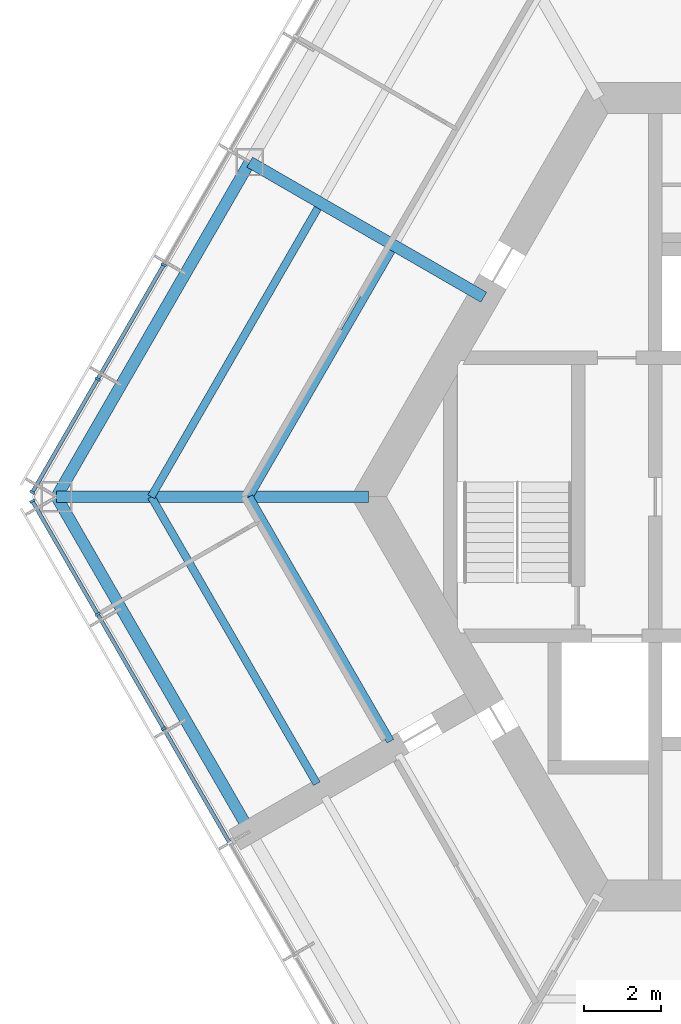
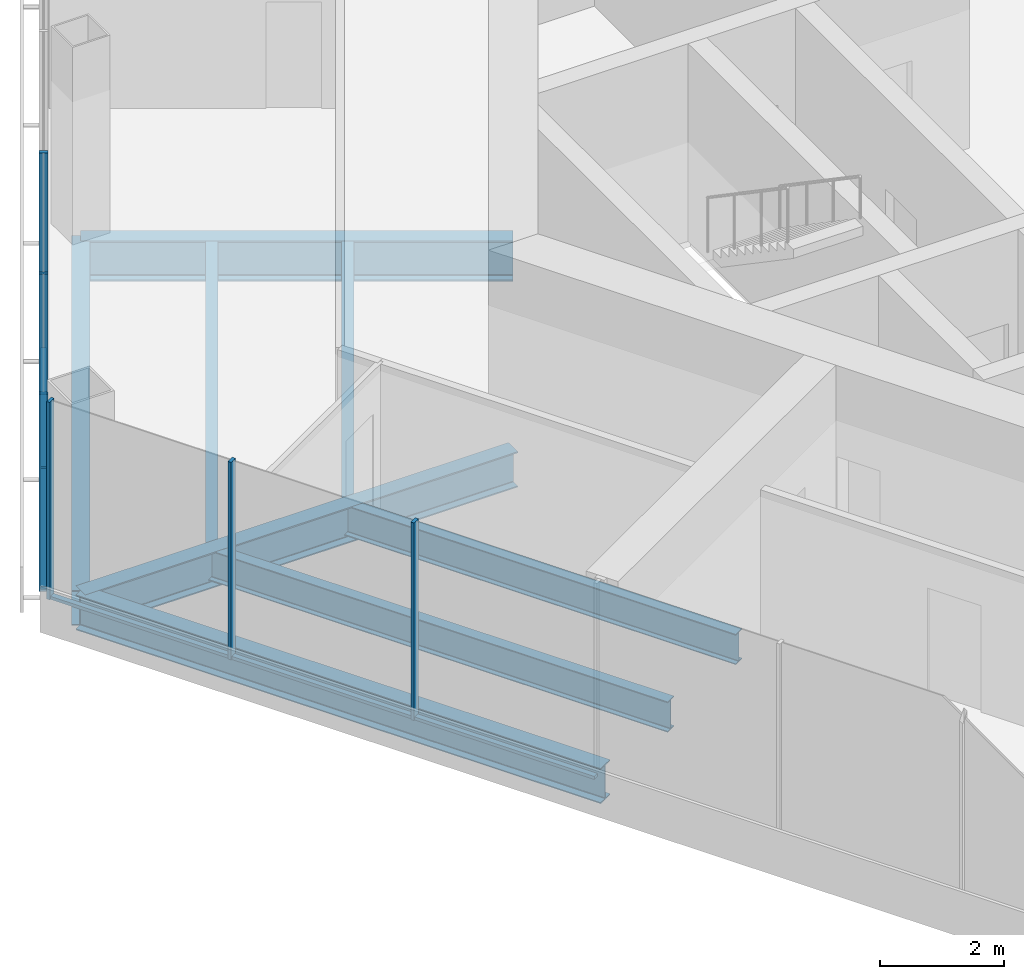
# One storey, part 3 of 15: 11 members, 8 beams, 2 elements without a shape of their own.
"""IFC4 building model written with IfcOpenShell, lengths in metres."""

from ifc_helpers import new_model, si_unit, direction, frame, origin, origin_2d, place, context, subcontext, project, spatial, rectangle, i_section, extrude, material, material_profile, profile_set, type_object, element, aggregate, save


model = new_model("IFC4")

# Units and contexts
model_context = context("Model", 3, precision=1e-05, world=origin(), true_north=direction((0.0, 1.0)))
body_context = subcontext(model_context, "Body", "Model", "MODEL_VIEW")
ifc_project = project(units=[si_unit("LENGTHUNIT", "METRE"), si_unit("AREAUNIT", "SQUARE_METRE"), si_unit("VOLUMEUNIT", "CUBIC_METRE"), si_unit("PLANEANGLEUNIT", "RADIAN"), si_unit("MASSUNIT", "GRAM", prefix="KILO")], contexts=[model_context])

# Site, building, storey
site_placement = place(None, origin())
site = spatial("IfcSite", under=ifc_project, at=site_placement, CompositionType="ELEMENT")
building_placement = place(site_placement, origin())
building = spatial("IfcBuilding", under=site, at=building_placement, Name="Kasaneha Research Tower", CompositionType="ELEMENT")
storey_placement = place(building_placement, frame((0.0, 0.0, 220.60009765625)))
storey = spatial("IfcBuildingStorey", under=building, at=storey_placement, Name="L55", CompositionType="ELEMENT", Elevation=220.60009765625)

# Beams
ifc_material_1 = material(Name="Steel SN490B", Category="steel")
ifc_material_profile_1 = material_profile(ifc_material_1, i_section(OverallWidth=0.199951171875, OverallDepth=0.60009765625, WebThickness=0.010986328125, FlangeThickness=0.01708984375, FilletRadius=0.012939453125, at=origin_2d()), Name="H-600x200x11x17")
ifc_profile_set_1 = profile_set([ifc_material_profile_1], Name="Steel SN490B")
beam_type_1 = type_object("IfcBeamType", Name="B1-3 secondary beam H-600x200x11x17", PredefinedType="JOIST", material=ifc_profile_set_1)
beam_1_placement = place(storey_placement, frame((-15.010986328125, 0.0, -0.4501953125), z_axis=(0.499994443168, 0.866028611999, 0.0), x_axis=(-0.866028611999, 0.499994443168, 0.0)))
element("IfcBeam", 1, at=beam_1_placement, inside=storey, type_object=beam_type_1, Name="Secondary beam RS150R1 L55", PredefinedType="JOIST", context=body_context, shape_type="SweptSolid", body=[
    extrude(i_section(OverallWidth=0.199951171875, OverallDepth=0.60009765625, WebThickness=0.010986328125, FlangeThickness=0.01708984375, FilletRadius=0.012939453125, at=origin_2d()), origin(), (0.0, 0.0, 1.0), 7.35546875),
])
beam_2_placement = place(storey_placement, frame((-17.551513671875, 0.0, -0.4501953125), z_axis=(0.5000050195, 0.866022505755, 0.0), x_axis=(-0.866022505755, 0.5000050195, 0.0)))
element("IfcBeam", 2, at=beam_2_placement, inside=storey, type_object=beam_type_1, Name="Secondary beam RS150R2 L55", PredefinedType="JOIST", context=body_context, shape_type="SweptSolid", body=[
    extrude(i_section(OverallWidth=0.199951171875, OverallDepth=0.60009765625, WebThickness=0.010986328125, FlangeThickness=0.01708984375, FilletRadius=0.012939453125, at=origin_2d()), origin(), (0.0, 0.0, 1.0), 8.6259765625),
])
beam_3_placement = place(storey_placement, frame((-15.010986328125, 0.0, -0.4501953125), z_axis=(0.499974128195, -0.866040340363, 0.0), x_axis=(0.866040340363, 0.499974128195, 0.0)))
element("IfcBeam", 3, at=beam_3_placement, inside=storey, type_object=beam_type_1, Name="Secondary beam RS210L1 L55", PredefinedType="JOIST", context=body_context, shape_type="SweptSolid", body=[
    extrude(i_section(OverallWidth=0.199951171875, OverallDepth=0.60009765625, WebThickness=0.010986328125, FlangeThickness=0.01708984375, FilletRadius=0.012939453125, at=origin_2d()), origin(), (0.0, 0.0, 1.0), 7.3056640625),
])
beam_4_placement = place(storey_placement, frame((-17.551513671875, 0.0, -0.4501953125), z_axis=(0.500000102728, -0.866025344474, 0.0), x_axis=(0.866025344474, 0.500000102728, 0.0)))
element("IfcBeam", 4, at=beam_4_placement, inside=storey, type_object=beam_type_1, Name="Secondary beam RS210L2 L55", PredefinedType="JOIST", context=body_context, shape_type="SweptSolid", body=[
    extrude(i_section(OverallWidth=0.199951171875, OverallDepth=0.60009765625, WebThickness=0.010986328125, FlangeThickness=0.01708984375, FilletRadius=0.012939453125, at=origin_2d()), origin(), (0.0, 0.0, 1.0), 8.57568359375),
])

# Curtain wall, members
ifc_material_2 = material(Name="Glass and aluminium", Category="aluminium")
curtain_wall_type = type_object("IfcCurtainWallType", Name="High-rise office curtain wall", PredefinedType="USERDEFINED", material=ifc_material_2)
curtain_wall_1_placement = place(storey_placement, origin())
curtain_wall_1 = element("IfcCurtainWall", 5, at=curtain_wall_1_placement, inside=storey, type_object=curtain_wall_type, Name="CW-O3 L55 run 03a", ObjectType="UNITISED CURTAIN WALL", PredefinedType="USERDEFINED")
ifc_material_3 = material(Name="Aluminium 6063-T6", Category="aluminium")
ifc_material_profile_2 = material_profile(ifc_material_3, rectangle(XDim=0.06005859375, YDim=0.139892578125, at=origin_2d()), Name="CW-O3 mullion 60x140")
ifc_profile_set_2 = profile_set([ifc_material_profile_2], Name="Aluminium 6063-T6")
member_type_1 = type_object("IfcMemberType", Name="CW-O3 mullion", PredefinedType="MULLION", material=ifc_profile_set_2)
member_1_placement = place(storey_placement, frame((-17.227294921875, 6.00244140625, 0.0), z_axis=(0.0, 0.0, 1.0), x_axis=(-0.499999995722, -0.866025406254, 0.0)))
member_1 = element("IfcMember", 6, at=member_1_placement, type_object=member_type_1, Name="CW-O3 mullion 5", PredefinedType="MULLION", context=body_context, shape_type="SweptSolid", body=[
    extrude(rectangle(XDim=0.06005859375, YDim=0.139892578125, at=origin_2d()), origin(), (0.0, 0.0, 1.0), 3.89990234375),
])
member_2_placement = place(storey_placement, frame((-18.93505859375, 3.04443359375, 0.0), z_axis=(0.0, 0.0, 1.0), x_axis=(-0.499999995722, -0.866025406254, 0.0)))
member_2 = element("IfcMember", 7, at=member_2_placement, type_object=member_type_1, Name="CW-O3 mullion 6", PredefinedType="MULLION", context=body_context, shape_type="SweptSolid", body=[
    extrude(rectangle(XDim=0.06005859375, YDim=0.139892578125, at=origin_2d()), origin(), (0.0, 0.0, 1.0), 3.89990234375),
])
member_3_placement = place(storey_placement, frame((-20.6279296875, 0.112548828125, 0.0), z_axis=(0.0, 0.0, 1.0), x_axis=(-0.499999995722, -0.866025406254, 0.0)))
member_3 = element("IfcMember", 8, at=member_3_placement, type_object=member_type_1, Name="CW-O3 mullion 7", PredefinedType="MULLION", context=body_context, shape_type="SweptSolid", body=[
    extrude(rectangle(XDim=0.06005859375, YDim=0.139892578125, at=origin_2d()), origin(), (0.0, 0.0, 1.0), 3.89990234375),
])

curtain_wall_2_placement = place(storey_placement, origin())
curtain_wall_2 = element("IfcCurtainWall", 9, at=curtain_wall_2_placement, inside=storey, type_object=curtain_wall_type, Name="CW-O3 L55 run 04a", ObjectType="UNITISED CURTAIN WALL", PredefinedType="USERDEFINED")
member_4_placement = place(storey_placement, frame((-20.6279296875, -0.112548828125, 0.0), z_axis=(0.0, 0.0, 1.0), x_axis=(0.499999995722, -0.866025406254, 0.0)))
member_4 = element("IfcMember", 10, at=member_4_placement, type_object=member_type_1, Name="CW-O3 mullion 1", PredefinedType="MULLION", context=body_context, shape_type="SweptSolid", body=[
    extrude(rectangle(XDim=0.06005859375, YDim=0.139892578125, at=origin_2d()), origin(), (0.0, 0.0, 1.0), 3.89990234375),
])
member_5_placement = place(storey_placement, frame((-18.93505859375, -3.04443359375, 0.0), z_axis=(0.0, 0.0, 1.0), x_axis=(0.499999995722, -0.866025406254, 0.0)))
member_5 = element("IfcMember", 11, at=member_5_placement, type_object=member_type_1, Name="CW-O3 mullion 2", PredefinedType="MULLION", context=body_context, shape_type="SweptSolid", body=[
    extrude(rectangle(XDim=0.06005859375, YDim=0.139892578125, at=origin_2d()), origin(), (0.0, 0.0, 1.0), 3.89990234375),
])
member_6_placement = place(storey_placement, frame((-17.227294921875, -6.00244140625, 0.0), z_axis=(0.0, 0.0, 1.0), x_axis=(0.499999995722, -0.866025406254, 0.0)))
member_6 = element("IfcMember", 12, at=member_6_placement, type_object=member_type_1, Name="CW-O3 mullion 3", PredefinedType="MULLION", context=body_context, shape_type="SweptSolid", body=[
    extrude(rectangle(XDim=0.06005859375, YDim=0.139892578125, at=origin_2d()), origin(), (0.0, 0.0, 1.0), 3.89990234375),
])

# Member
ifc_material_4 = material(Name="Aluminium 6063-T6", Category="aluminium")
ifc_material_profile_3 = material_profile(ifc_material_4, rectangle(XDim=0.10009765625, YDim=0.06005859375, at=origin_2d()), Name="CW-O3 transom 100x60")
ifc_profile_set_3 = profile_set([ifc_material_profile_3], Name="Aluminium 6063-T6")
member_type_2 = type_object("IfcMemberType", Name="CW-O3 transom", PredefinedType="USERDEFINED", material=ifc_profile_set_3)
member_7_placement = place(storey_placement, frame((-17.242431640625, 5.976318359375, 0.02978515625), z_axis=(-0.500020578564, -0.866013522419, 0.0), x_axis=(0.866013522419, -0.500020578564, 0.0)))
member_7 = element("IfcMember", 13, at=member_7_placement, type_object=member_type_2, Name="CW-O3 transom 5", ObjectType="TRANSOM", PredefinedType="USERDEFINED", context=body_context, shape_type="SweptSolid", body=[
    extrude(rectangle(XDim=0.10009765625, YDim=0.06005859375, at=origin_2d()), origin(), (0.0, 0.0, 1.0), 3.355224609375),
])

member_8_placement = place(storey_placement, frame((-18.9501953125, 3.0185546875, 0.02978515625), z_axis=(-0.49997666526, -0.866038875684, 0.0), x_axis=(0.866038875684, -0.49997666526, 0.0)))
member_8 = element("IfcMember", 14, at=member_8_placement, type_object=member_type_2, Name="CW-O3 transom 6", ObjectType="TRANSOM", PredefinedType="USERDEFINED", context=body_context, shape_type="SweptSolid", body=[
    extrude(rectangle(XDim=0.10009765625, YDim=0.06005859375, at=origin_2d()), origin(), (0.0, 0.0, 1.0), 3.325439453125),
])

aggregate(curtain_wall_1, [member_1, member_2, member_3, member_7, member_8])

member_9_placement = place(storey_placement, frame((-20.61279296875, -0.138671875, 0.02978515625), z_axis=(0.49997666526, -0.866038875684, 0.0), x_axis=(0.866038875684, 0.49997666526, 0.0)))
member_9 = element("IfcMember", 15, at=member_9_placement, type_object=member_type_2, Name="CW-O3 transom 1", ObjectType="TRANSOM", PredefinedType="USERDEFINED", context=body_context, shape_type="SweptSolid", body=[
    extrude(rectangle(XDim=0.10009765625, YDim=0.06005859375, at=origin_2d()), origin(), (0.0, 0.0, 1.0), 3.325439453125),
])

member_10_placement = place(storey_placement, frame((-18.920166015625, -3.070556640625, 0.02978515625), z_axis=(0.500020578564, -0.866013522419, 0.0), x_axis=(0.866013522419, 0.500020578564, 0.0)))
member_10 = element("IfcMember", 16, at=member_10_placement, type_object=member_type_2, Name="CW-O3 transom 2", ObjectType="TRANSOM", PredefinedType="USERDEFINED", context=body_context, shape_type="SweptSolid", body=[
    extrude(rectangle(XDim=0.10009765625, YDim=0.06005859375, at=origin_2d()), origin(), (0.0, 0.0, 1.0), 3.355224609375),
])

member_11_placement = place(storey_placement, frame((-17.21240234375, -6.0283203125, 0.02978515625), z_axis=(0.499989072476, -0.866031712701, 0.0), x_axis=(0.866031712701, 0.499989072476, 0.0)))
member_11 = element("IfcMember", 17, at=member_11_placement, type_object=member_type_2, Name="CW-O3 transom 3", ObjectType="TRANSOM", PredefinedType="USERDEFINED", context=body_context, shape_type="SweptSolid", body=[
    extrude(rectangle(XDim=0.10009765625, YDim=0.06005859375, at=origin_2d()), origin(), (0.0, 0.0, 1.0), 3.35546875),
])

aggregate(curtain_wall_2, [member_4, member_5, member_6, member_9, member_10, member_11])

# Beams
ifc_material_5 = material(Name="Steel SN490B", Category="steel")
ifc_material_profile_4 = material_profile(ifc_material_5, i_section(OverallWidth=0.300048828125, OverallDepth=0.699951171875, WebThickness=0.012939453125, FlangeThickness=0.02392578125, FilletRadius=0.01806640625, at=origin_2d()), Name="H-700x300x13x24")
ifc_profile_set_4 = profile_set([ifc_material_profile_4], Name="Steel SN490B")
beam_type_2 = type_object("IfcBeamType", Name="G1-3 radial girder H-700x300x13x24", PredefinedType="BEAM", material=ifc_profile_set_4)
beam_5_placement = place(storey_placement, frame((-11.92236328125, 0.0, -0.5), z_axis=(-1.0, 0.0, 0.0), x_axis=(0.0, -1.0, 0.0)))
element("IfcBeam", 18, at=beam_5_placement, inside=storey, type_object=beam_type_2, Name="Radial girder RV180 L55", PredefinedType="BEAM", context=body_context, shape_type="SweptSolid", body=[
    extrude(i_section(OverallWidth=0.300048828125, OverallDepth=0.699951171875, WebThickness=0.012939453125, FlangeThickness=0.02392578125, FilletRadius=0.01806640625, at=origin_2d()), origin(), (0.0, 0.0, 1.0), 8.07763671875),
])
ifc_material_6 = material(Name="Steel SN490B", Category="steel")
ifc_material_profile_5 = material_profile(ifc_material_6, i_section(OverallWidth=0.300048828125, OverallDepth=0.800048828125, WebThickness=0.013916015625, FlangeThickness=0.02587890625, FilletRadius=0.01806640625, at=origin_2d()), Name="H-800x300x14x26")
ifc_profile_set_5 = profile_set([ifc_material_profile_5], Name="Steel SN490B")
beam_type_3 = type_object("IfcBeamType", Name="G2-3 radial girder H-800x300x14x26", PredefinedType="BEAM", material=ifc_profile_set_5)
beam_6_placement = place(storey_placement, frame((-8.941650390625, 5.16259765625, -0.550048828125), z_axis=(-0.866039713508, 0.499975214012, 0.0), x_axis=(-0.499975214012, -0.866039713508, 0.0)))
element("IfcBeam", 19, at=beam_6_placement, inside=storey, type_object=beam_type_3, Name="Radial girder RM150 L55", PredefinedType="BEAM", context=body_context, shape_type="SweptSolid", body=[
    extrude(i_section(OverallWidth=0.300048828125, OverallDepth=0.800048828125, WebThickness=0.013916015625, FlangeThickness=0.02587890625, FilletRadius=0.01806640625, at=origin_2d()), origin(), (0.0, 0.0, 1.0), 6.995361328125),
])
ifc_material_7 = material(Name="Steel SN490B", Category="steel")
ifc_material_profile_6 = material_profile(ifc_material_7, i_section(OverallWidth=0.300048828125, OverallDepth=0.69189453125, WebThickness=0.012939453125, FlangeThickness=0.02001953125, FilletRadius=0.01806640625, at=origin_2d()), Name="H-692x300x13x20")
ifc_profile_set_6 = profile_set([ifc_material_profile_6], Name="Steel SN490B")
beam_type_4 = type_object("IfcBeamType", Name="G3-3 plate edge girder H-692x300x13x20", PredefinedType="BEAM", material=ifc_profile_set_6)
beam_7_placement = place(storey_placement, frame((-20.0, 0.0, -0.49609375), z_axis=(0.49999201416, -0.866030014362, 0.0), x_axis=(0.866030014362, 0.49999201416, 0.0)))
element("IfcBeam", 20, at=beam_7_placement, inside=storey, type_object=beam_type_4, Name="Plate edge girder PEBP L55", PredefinedType="BEAM", context=body_context, shape_type="SweptSolid", body=[
    extrude(i_section(OverallWidth=0.300048828125, OverallDepth=0.69189453125, WebThickness=0.012939453125, FlangeThickness=0.02001953125, FilletRadius=0.01806640625, at=origin_2d()), origin(), (0.0, 0.0, 1.0), 9.800048828125),
])
ifc_material_8 = material(Name="Steel SN490B", Category="steel")
ifc_material_profile_7 = material_profile(ifc_material_8, i_section(OverallWidth=0.300048828125, OverallDepth=0.69189453125, WebThickness=0.012939453125, FlangeThickness=0.02001953125, FilletRadius=0.01806640625, at=origin_2d()), Name="H-692x300x13x20")
ifc_profile_set_7 = profile_set([ifc_material_profile_7], Name="Steel SN490B")
beam_type_5 = type_object("IfcBeamType", Name="SB1-3 spandrel beam H-692x300x13x20", PredefinedType="SPANDREL", material=ifc_profile_set_7)
beam_8_placement = place(storey_placement, frame((-20.0, 0.0, -0.49609375), z_axis=(0.500004234368, 0.866022959057, 0.0), x_axis=(-0.866022959057, 0.500004234368, 0.0)))
element("IfcBeam", 21, at=beam_8_placement, inside=storey, type_object=beam_type_5, Name="Spandrel beam SR150R L55", PredefinedType="SPANDREL", context=body_context, shape_type="SweptSolid", body=[
    extrude(i_section(OverallWidth=0.300048828125, OverallDepth=0.69189453125, WebThickness=0.012939453125, FlangeThickness=0.02001953125, FilletRadius=0.01806640625, at=origin_2d()), origin(), (0.0, 0.0, 1.0), 10.0),
])

save(model, "model.ifc")
